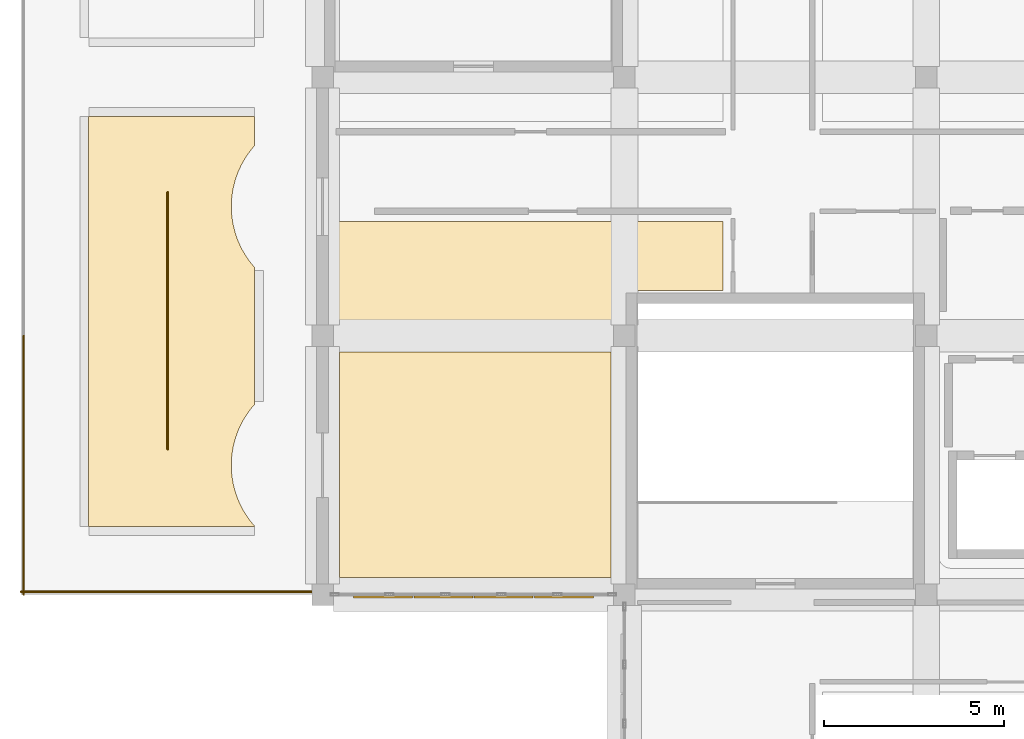
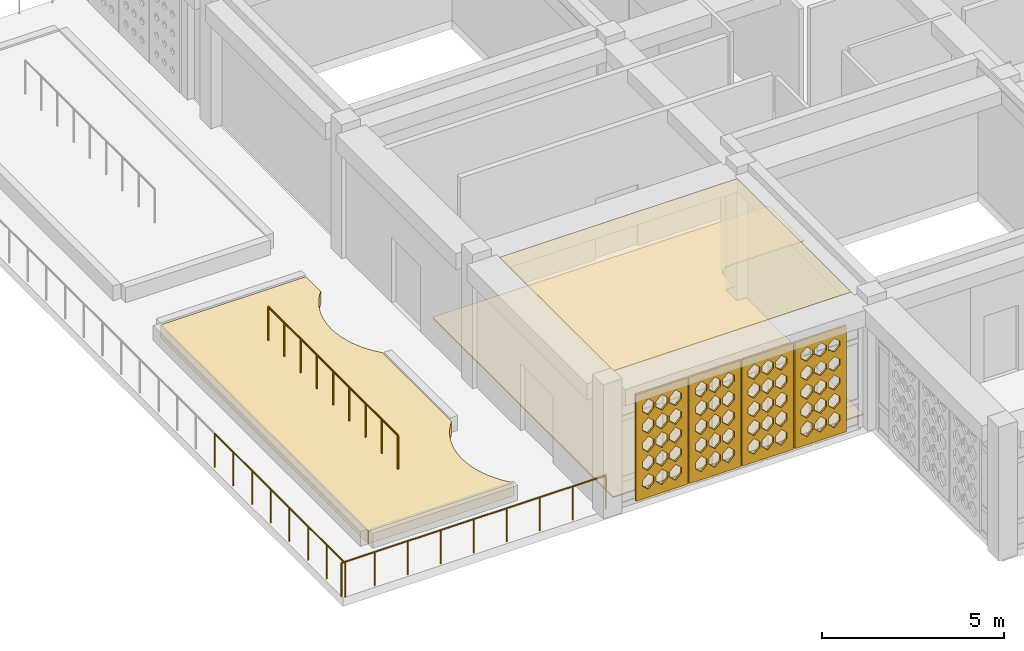
# One storey, part 17 of 28: 7 coverings, 3 railings.
"""IFC4 building model written with IfcOpenShell, lengths in metres."""

import ifcopenshell
import ifcopenshell.guid

model = None  # the IFC model being written
_history = None  # IfcOwnerHistory: only IFC2X3 demands one
_inside = {}  # id of a spatial element -> (the spatial element, [elements in it])
_under = {}  # id of a project, library or spatial element -> (it, [spatial elements below it])
_declared = {}  # id of a project -> (the project, [libraries it declares])
_typed = {}  # id of a type object -> (the type object, [elements of that type])
_made_of = {}  # id of a material, layer set ... -> (it, [elements and type objects made of it])


def new_model(schema):
    """Start an empty IFC model of exactly this schema.

    Asked for "IFC4X3", IfcOpenShell would pick the latest addendum, in which some entities
    have other attributes; the version numbers below select the first issue.
    IFC2X3 requires an IfcOwnerHistory on every rooted entity: one is made here for all.
    """
    global model, _history
    if schema == "IFC4X3":
        model = ifcopenshell.file(schema_version=(4, 3, 0, 0))
    else:
        model = ifcopenshell.file(schema=schema)
    _inside.clear()
    _under.clear()
    _declared.clear()
    _typed.clear()
    _made_of.clear()
    _history = None
    if model.schema == "IFC2X3":
        org = make("IfcOrganization", Name="unknown")
        user = make(
            "IfcPersonAndOrganization",
            ThePerson=make("IfcPerson", FamilyName="unknown"),
            TheOrganization=org,
        )
        app = make(
            "IfcApplication",
            ApplicationDeveloper=org,
            Version="unknown",
            ApplicationFullName="unknown",
            ApplicationIdentifier="unknown",
        )
        _history = make(
            "IfcOwnerHistory",
            OwningUser=user,
            OwningApplication=app,
            ChangeAction="ADDED",
            CreationDate=0,
        )
    return model


def make(cls, **values):
    """One entity of the class cls with the attributes given. An attribute that is None is left unset."""
    return model.create_entity(
        cls, **{name: value for name, value in values.items() if value is not None}
    )


def rooted(cls, **values):
    """An entity with a GlobalId (a new one), such as an element, a storey or a relation."""
    return make(cls, GlobalId=ifcopenshell.guid.new(), OwnerHistory=_history, **values)


def si_unit(unit_type, name, prefix=None):
    """IfcSIUnit, for example si_unit("LENGTHUNIT", "METRE", prefix="MILLI")."""
    return make("IfcSIUnit", UnitType=unit_type, Prefix=prefix, Name=name)


def derived_unit(unit_type, elements):
    """IfcDerivedUnit: a product of units, each with its exponent."""
    return make(
        "IfcDerivedUnit",
        Elements=[
            make("IfcDerivedUnitElement", Unit=unit, Exponent=power)
            for unit, power in elements
        ],
        UnitType=unit_type,
    )


def assignment(units):
    """IfcUnitAssignment: the units of a project."""
    return None if units is None else make("IfcUnitAssignment", Units=units)


def point(xyz):
    """IfcCartesianPoint."""
    return None if xyz is None else make("IfcCartesianPoint", Coordinates=xyz)


def direction(xyz):
    """IfcDirection."""
    return None if xyz is None else make("IfcDirection", DirectionRatios=xyz)


def frame(location, z_axis=None, x_axis=None):
    """IfcAxis2Placement3D, a coordinate frame: its origin and axes. An axis left out is left unset."""
    return make(
        "IfcAxis2Placement3D",
        Location=point(location),
        Axis=direction(z_axis),
        RefDirection=direction(x_axis),
    )


def frame_2d(location, x_axis=None):
    """IfcAxis2Placement2D, a coordinate frame in the plane: its origin and x axis."""
    return make(
        "IfcAxis2Placement2D", Location=point(location), RefDirection=direction(x_axis)
    )


def origin():
    """The frame at (0, 0, 0) with its axes left unset."""
    return frame((0.0, 0.0, 0.0))


def origin_2d():
    """The frame at (0, 0) in the plane with its x axis left unset."""
    return frame_2d((0.0, 0.0))


def place(relative_to, where):
    """IfcLocalPlacement: puts the frame where relative to a parent placement (None: the world)."""
    return make(
        "IfcLocalPlacement", PlacementRelTo=relative_to, RelativePlacement=where
    )


def context(
    kind, dimensions, precision=None, world=None, true_north=None, identifier=None
):
    """IfcGeometricRepresentationContext, for example the 3D "Model" context."""
    return make(
        "IfcGeometricRepresentationContext",
        ContextIdentifier=identifier,
        ContextType=kind,
        CoordinateSpaceDimension=dimensions,
        Precision=precision,
        WorldCoordinateSystem=world,
        TrueNorth=true_north,
    )


def subcontext(parent, identifier, kind, view, scale=None):
    """IfcGeometricRepresentationSubContext, for example "Body" below "Model"."""
    return make(
        "IfcGeometricRepresentationSubContext",
        ContextIdentifier=identifier,
        ContextType=kind,
        ParentContext=parent,
        TargetScale=scale,
        TargetView=view,
    )


def project(units=None, contexts=None):
    """IfcProject with its units and contexts."""
    return rooted(
        "IfcProject",
        Name="project",
        RepresentationContexts=contexts,
        UnitsInContext=assignment(units),
    )


def spatial(cls, under=None, at=None, **own):
    """A site, building, storey or space (cls), placed at a placement, below another one or the project."""
    s = rooted(cls, ObjectPlacement=at, **own)
    if under is not None:
        _under.setdefault(under.id(), (under, []))[1].append(s)
    return s


def polyline(points):
    """IfcPolyline through the points."""
    return make("IfcPolyline", Points=[point(p) for p in points])


def profile(cls, at=None, kind="AREA", **sizes):
    """A parametric profile (cls). Its sizes go by their IFC names, for example OverallWidth=200.0."""
    return make(cls, ProfileType=kind, Position=at, **sizes)


def circle(**sizes):
    """IfcCircleProfileDef."""
    return profile("IfcCircleProfileDef", **sizes)


def outline(outer, holes=None, kind="AREA"):
    """IfcArbitraryClosedProfileDef: a profile drawn as a closed curve; with holes, ...WithVoids."""
    if holes is None:
        return make("IfcArbitraryClosedProfileDef", ProfileType=kind, OuterCurve=outer)
    return make(
        "IfcArbitraryProfileDefWithVoids",
        ProfileType=kind,
        OuterCurve=outer,
        InnerCurves=holes,
    )


def extrude(swept, where, along, depth):
    """IfcExtrudedAreaSolid: the profile swept, set in the frame where, extruded along a direction by depth."""
    return make(
        "IfcExtrudedAreaSolid",
        SweptArea=swept,
        Position=where,
        ExtrudedDirection=direction(along),
        Depth=depth,
    )


def shape(context_of_items, identifier, shape_type, items):
    """IfcShapeRepresentation: the items that make up one representation, for example the "Body"."""
    return make(
        "IfcShapeRepresentation",
        ContextOfItems=context_of_items,
        RepresentationIdentifier=identifier,
        RepresentationType=shape_type,
        Items=items,
    )


def material(Name=None, Category=None):
    """IfcMaterial."""
    return make("IfcMaterial", Name=Name, Category=Category)


def layer(
    of_material, thickness, ventilated=None, Name=None, Category=None, Priority=None
):
    """IfcMaterialLayer: one layer of a wall or slab, of a material (None: an air gap)."""
    return make(
        "IfcMaterialLayer",
        Material=of_material,
        LayerThickness=thickness,
        IsVentilated=ventilated,
        Name=Name,
        Category=Category,
        Priority=Priority,
    )


def layer_set(layers, Name=None):
    """IfcMaterialLayerSet."""
    return make("IfcMaterialLayerSet", MaterialLayers=layers, LayerSetName=Name)


def made_of(thing, what):
    """Note that an element or type object is made of a material, layer set ...; save() writes the relation."""
    if what is not None:
        _made_of.setdefault(what.id(), (what, []))[1].append(thing)
    return thing


def type_object(cls, material=None, **own):
    """A type object (cls), such as IfcWallType, which elements share."""
    return made_of(rooted(cls, **own), material)


def element(
    cls,
    number,
    at=None,
    inside=None,
    cuts=None,
    type_object=None,
    material=None,
    context=None,
    identifier="Body",
    shape_type=None,
    held_by="IfcProductDefinitionShape",
    body=None,
    shapes=None,
    **own,
):
    """One element of the class cls, such as IfcWall. Its Tag is "e" and its number.

    at: its placement. inside: the storey or other place that contains it. cuts: it is an
    opening in that element (IfcRelVoidsElement). A single representation is given by context,
    identifier, shape_type and body (its items); several are given by shapes. held_by: the class
    of the entity that holds the representations. save() writes the other relations.
    """
    e = rooted(cls, Tag="e%d" % number, ObjectPlacement=at, **own)
    if body is not None:
        shapes = [shape(context, identifier, shape_type, body)]
    if shapes is not None:
        e.Representation = make(held_by, Representations=shapes)
    if inside is not None:
        _inside.setdefault(inside.id(), (inside, []))[1].append(e)
    if cuts is not None:
        rooted(
            "IfcRelVoidsElement", RelatingBuildingElement=cuts, RelatedOpeningElement=e
        )
    if type_object is not None:
        _typed.setdefault(type_object.id(), (type_object, []))[1].append(e)
    return made_of(e, material)


def aggregate(whole, parts):
    """IfcRelAggregates: a whole, such as a stair, and the parts it consists of."""
    return rooted("IfcRelAggregates", RelatingObject=whole, RelatedObjects=parts)


def save(model, path):
    """Write the relations noted so far, then the file.

    IfcRelAggregates (storeys below a building ...), IfcRelContainedInSpatialStructure (elements
    in a storey), IfcRelDefinesByType, IfcRelAssociatesMaterial and IfcRelDeclares: one each for
    every whole, place, type object, material and project.
    """
    for whole, parts in _under.values():
        aggregate(whole, parts)
    for where, things in _inside.values():
        rooted(
            "IfcRelContainedInSpatialStructure",
            RelatedElements=things,
            RelatingStructure=where,
        )
    for kind, things in _typed.values():
        rooted("IfcRelDefinesByType", RelatedObjects=things, RelatingType=kind)
    for what, things in _made_of.values():
        rooted("IfcRelAssociatesMaterial", RelatedObjects=things, RelatingMaterial=what)
    for by, libraries in _declared.values():
        rooted("IfcRelDeclares", RelatingContext=by, RelatedDefinitions=libraries)
    model.write(path)


model = new_model("IFC4")

# Units and contexts
model_context = context("Model", 3, precision=1e-05, world=origin(), true_north=direction((0.0, 1.0)))
body_context = subcontext(model_context, "Body", "Model", "MODEL_VIEW")
ifc_project = project(units=[si_unit("LENGTHUNIT", "METRE"), si_unit("AREAUNIT", "SQUARE_METRE"), si_unit("VOLUMEUNIT", "CUBIC_METRE"), si_unit("PLANEANGLEUNIT", "RADIAN"), si_unit("MASSUNIT", "GRAM", prefix="KILO"), derived_unit("THERMALTRANSMITTANCEUNIT", [(si_unit("POWERUNIT", "WATT"), 1), (si_unit("LENGTHUNIT", "METRE"), -2), (si_unit("THERMODYNAMICTEMPERATUREUNIT", "KELVIN"), -1)])], contexts=[model_context])

# Site, building, storey
site_placement = place(None, origin())
site = spatial("IfcSite", under=ifc_project, at=site_placement, CompositionType="ELEMENT")
building_placement = place(site_placement, origin())
building = spatial("IfcBuilding", under=site, at=building_placement, Name="Veybourne Emporium", CompositionType="ELEMENT")
storey_placement = place(building_placement, frame((0.0, 0.0, 32.10009765625)))
storey = spatial("IfcBuildingStorey", under=building, at=storey_placement, Name="L07", CompositionType="ELEMENT", Elevation=32.10009765625)

# Coverings
ifc_material_1 = material(Name="Mineral Acoustic Ceiling", Category="gypsum")
ifc_layer_1 = layer(ifc_material_1, 0.02490234375)
ifc_layer_set_1 = layer_set([ifc_layer_1], Name="Mineral Acoustic Ceiling")
covering_type_1 = type_object("IfcCoveringType", Name="Ceiling_CLG-01", PredefinedType="CEILING", material=ifc_layer_set_1)
covering_1_placement = place(storey_placement, frame((0.0, 0.0, 4.21484375)))
element("IfcCovering", 1, at=covering_1_placement, inside=storey, type_object=covering_type_1, Name="L07 coffered acoustic ceiling 02", PredefinedType="CEILING", context=body_context, shape_type="SweptSolid", body=[
    extrude(outline(polyline([(8.873046875, 21.152099609375), (16.427001953125, 21.152099609375), (16.427001953125, 14.873046875), (8.873046875, 14.873046875), (8.873046875, 21.152099609375)])), origin(), (0.0, 0.0, 1.0), 0.025146484375),
])
ifc_material_2 = material(Name="European Oak Parquet", Category="wood")
ifc_layer_2 = layer(ifc_material_2, 0.034912109375)
ifc_layer_set_2 = layer_set([ifc_layer_2], Name="European Oak Parquet")
covering_type_2 = type_object("IfcCoveringType", Name="Flooring_FLR-02", PredefinedType="FLOORING", material=ifc_layer_set_2)
covering_2_placement = place(storey_placement, origin())
element("IfcCovering", 2, at=covering_2_placement, inside=storey, type_object=covering_type_2, Name="L07 floor finish 02", PredefinedType="FLOORING", context=body_context, shape_type="SweptSolid", body=[
    extrude(outline(polyline([(8.840087890625, 14.840087890625), (8.840087890625, 24.7900390625), (19.5400390625, 24.7900390625), (19.5400390625, 22.860107421875), (17.14990234375, 22.860107421875), (17.14013671875, 22.85986328125), (17.12451171875, 22.85888671875), (17.10498046875, 22.857177734375), (17.089599609375, 22.854736328125), (17.070068359375, 22.850830078125), (17.054931640625, 22.84716796875), (17.0361328125, 22.84130859375), (17.021484375, 22.836181640625), (17.003173828125, 22.82861328125), (16.989013671875, 22.822021484375), (16.9716796875, 22.812744140625), (16.958251953125, 22.8046875), (16.94189453125, 22.793701171875), (16.92919921875, 22.7841796875), (16.914306640625, 22.77197265625), (16.902587890625, 22.761474609375), (16.888671875, 22.747314453125), (16.878173828125, 22.73583984375), (16.86572265625, 22.720703125), (16.8564453125, 22.7080078125), (16.845458984375, 22.691650390625), (16.83740234375, 22.67822265625), (16.828125, 22.660888671875), (16.8212890625, 22.646728515625), (16.81396484375, 22.628662109375), (16.80859375, 22.61376953125), (16.802978515625, 22.594970703125), (16.799072265625, 22.579833984375), (16.795166015625, 22.560546875), (16.79296875, 22.544921875), (16.791015625, 22.525390625), (16.790283203125, 22.509765625), (16.7900390625, 22.5), (16.7900390625, 21.905029296875), (16.4951171875, 21.905029296875), (16.4951171875, 21.294921875), (16.7900390625, 21.294921875), (16.7900390625, 14.85009765625), (16.790283203125, 14.840087890625), (16.790283203125, 14.840087890625), (8.840087890625, 14.840087890625)])), origin(), (0.0, 0.0, 1.0), 0.034912109375),
])

# Railings
ifc_material_3 = material(Name="Patinated Architectural Bronze", Category="bronze")
railing_type = type_object("IfcRailingType", Name="Guard_GR-02", PredefinedType="GUARDRAIL", material=ifc_material_3)
railing_1_placement = place(storey_placement, frame((8.39990234375, 14.47998046875, 0.0)))
element("IfcRailing", 3, at=railing_1_placement, inside=storey, type_object=railing_type, Name="L07 terrace perimeter guardrail 001", PredefinedType="GUARDRAIL", context=body_context, shape_type="SweptSolid", body=[
    extrude(circle(Radius=0.02392578125, at=origin_2d()), frame((0.0, 0.0, 1.1259765625), z_axis=(-1.0, 0.0, 0.0), x_axis=(0.0, -1.0, 0.0)), (0.0, 0.0, 1.0), 8.39990234375),
    extrude(circle(Radius=0.02099609375, at=origin_2d()), origin(), (0.0, 0.0, 1.0), 1.101806640625),
    extrude(circle(Radius=0.02099609375, at=origin_2d()), frame((-1.050048828125, 0.0, 0.0)), (0.0, 0.0, 1.0), 1.101806640625),
    extrude(circle(Radius=0.02099609375, at=origin_2d()), frame((-2.10009765625, 0.0, 0.0)), (0.0, 0.0, 1.0), 1.101806640625),
    extrude(circle(Radius=0.02099609375, at=origin_2d()), frame((-3.14990234375, 0.0, 0.0)), (0.0, 0.0, 1.0), 1.101806640625),
    extrude(circle(Radius=0.02099609375, at=origin_2d()), frame((-4.199951171875, 0.0, 0.0)), (0.0, 0.0, 1.0), 1.101806640625),
    extrude(circle(Radius=0.02099609375, at=origin_2d()), frame((-5.25, 0.0, 0.0)), (0.0, 0.0, 1.0), 1.101806640625),
    extrude(circle(Radius=0.02099609375, at=origin_2d()), frame((-6.2998046875, 0.0, 0.0)), (0.0, 0.0, 1.0), 1.101806640625),
    extrude(circle(Radius=0.02099609375, at=origin_2d()), frame((-7.349853515625, 0.0, 0.0)), (0.0, 0.0, 1.0), 1.101806640625),
    extrude(circle(Radius=0.02099609375, at=origin_2d()), frame((-8.39990234375, 0.0, 0.0)), (0.0, 0.0, 1.0), 1.101806640625),
])
railing_2_placement = place(storey_placement, frame((0.080078125, 14.39990234375, 0.0)))
element("IfcRailing", 4, at=railing_2_placement, inside=storey, type_object=railing_type, Name="L07 terrace perimeter guardrail 002", PredefinedType="GUARDRAIL", context=body_context, shape_type="SweptSolid", body=[
    extrude(circle(Radius=0.02392578125, at=origin_2d()), frame((0.0, 0.0, 1.1259765625), z_axis=(0.0, 1.0, 0.0), x_axis=(-1.0, 0.0, 0.0)), (0.0, 0.0, 1.0), 7.2001953125),
    extrude(circle(Radius=0.02099609375, at=origin_2d()), origin(), (0.0, 0.0, 1.0), 1.101806640625),
    extrude(circle(Radius=0.02099609375, at=origin_2d()), frame((0.0, 1.028564453125, 0.0)), (0.0, 0.0, 1.0), 1.101806640625),
    extrude(circle(Radius=0.02099609375, at=origin_2d()), frame((0.0, 2.05712890625, 0.0)), (0.0, 0.0, 1.0), 1.101806640625),
    extrude(circle(Radius=0.02099609375, at=origin_2d()), frame((0.0, 3.085693359375, 0.0)), (0.0, 0.0, 1.0), 1.101806640625),
    extrude(circle(Radius=0.02099609375, at=origin_2d()), frame((0.0, 4.114501953125, 0.0)), (0.0, 0.0, 1.0), 1.101806640625),
    extrude(circle(Radius=0.02099609375, at=origin_2d()), frame((0.0, 5.14306640625, 0.0)), (0.0, 0.0, 1.0), 1.101806640625),
    extrude(circle(Radius=0.02099609375, at=origin_2d()), frame((0.0, 6.171630859375, 0.0)), (0.0, 0.0, 1.0), 1.101806640625),
    extrude(circle(Radius=0.02099609375, at=origin_2d()), frame((0.0, 7.2001953125, 0.0)), (0.0, 0.0, 1.0), 1.101806640625),
])
railing_3_placement = place(storey_placement, frame((4.0869140625, 18.44970703125, 0.43994140625)))
element("IfcRailing", 5, at=railing_3_placement, inside=storey, type_object=railing_type, Name="L07 bronze roof-garden trellis balustrade 1.2", PredefinedType="GUARDRAIL", context=body_context, shape_type="SweptSolid", body=[
    extrude(circle(Radius=0.02392578125, at=origin_2d()), frame((0.0, 0.0, 1.1259765625), z_axis=(0.0, 1.0, 0.0), x_axis=(-1.0, 0.0, 0.0)), (0.0, 0.0, 1.0), 7.14013671875),
    extrude(circle(Radius=0.02099609375, at=origin_2d()), origin(), (0.0, 0.0, 1.0), 1.101806640625),
    extrude(circle(Radius=0.02099609375, at=origin_2d()), frame((0.0, 0.892578125, 0.0)), (0.0, 0.0, 1.0), 1.101806640625),
    extrude(circle(Radius=0.02099609375, at=origin_2d()), frame((0.0, 1.78515625, 0.0)), (0.0, 0.0, 1.0), 1.101806640625),
    extrude(circle(Radius=0.02099609375, at=origin_2d()), frame((0.0, 2.677490234375, 0.0)), (0.0, 0.0, 1.0), 1.101806640625),
    extrude(circle(Radius=0.02099609375, at=origin_2d()), frame((0.0, 3.570068359375, 0.0)), (0.0, 0.0, 1.0), 1.101806640625),
    extrude(circle(Radius=0.02099609375, at=origin_2d()), frame((0.0, 4.462646484375, 0.0)), (0.0, 0.0, 1.0), 1.101806640625),
    extrude(circle(Radius=0.02099609375, at=origin_2d()), frame((0.0, 5.35498046875, 0.0)), (0.0, 0.0, 1.0), 1.101806640625),
    extrude(circle(Radius=0.02099609375, at=origin_2d()), frame((0.0, 6.24755859375, 0.0)), (0.0, 0.0, 1.0), 1.101806640625),
    extrude(circle(Radius=0.02099609375, at=origin_2d()), frame((0.0, 7.14013671875, 0.0)), (0.0, 0.0, 1.0), 1.101806640625),
])

# Coverings
ifc_material_4 = material(Name="Intensive Green Roof Build-up", Category="membrane")
ifc_layer_3 = layer(ifc_material_4, 0.43994140625)
ifc_layer_set_3 = layer_set([ifc_layer_3], Name="Intensive Green Roof Build-up")
covering_type_3 = type_object("IfcCoveringType", Name="Roofing_RFG-02", PredefinedType="ROOFING", material=ifc_layer_set_3)
covering_3_placement = place(storey_placement, origin())
element("IfcCovering", 6, at=covering_3_placement, inside=storey, type_object=covering_type_3, Name="L07 intensive planted garden bed 1.2", PredefinedType="ROOFING", context=body_context, shape_type="SweptSolid", body=[
    extrude(outline(polyline([(6.510009765625, 16.3056640625), (6.510009765625, 16.2900390625), (1.889892578125, 16.2900390625), (1.889892578125, 27.7099609375), (6.510009765625, 27.7099609375), (6.510009765625, 26.894287109375), (6.467529296875, 26.847412109375), (6.4072265625, 26.77392578125), (6.3154296875, 26.650146484375), (6.262451171875, 26.571044921875), (6.183349609375, 26.438720703125), (6.138427734375, 26.35498046875), (6.072509765625, 26.215576171875), (6.0361328125, 26.127685546875), (5.984130859375, 25.982666015625), (5.95654296875, 25.8916015625), (5.919189453125, 25.741943359375), (5.900634765625, 25.648681640625), (5.8779296875, 25.496337890625), (5.86865234375, 25.401611328125), (5.861083984375, 25.24755859375), (5.861083984375, 25.15234375), (5.86865234375, 24.99853515625), (5.8779296875, 24.90380859375), (5.900634765625, 24.75146484375), (5.919189453125, 24.657958984375), (5.95654296875, 24.508544921875), (5.984130859375, 24.41748046875), (6.0361328125, 24.2724609375), (6.072509765625, 24.184326171875), (6.138427734375, 24.045166015625), (6.183349609375, 23.961181640625), (6.262451171875, 23.8291015625), (6.3154296875, 23.749755859375), (6.4072265625, 23.6259765625), (6.467529296875, 23.552490234375), (6.510009765625, 23.505615234375), (6.510009765625, 19.6943359375), (6.467529296875, 19.6474609375), (6.4072265625, 19.573974609375), (6.3154296875, 19.4501953125), (6.262451171875, 19.37109375), (6.183349609375, 19.23876953125), (6.138427734375, 19.15478515625), (6.072509765625, 19.015625), (6.0361328125, 18.927734375), (5.984130859375, 18.782470703125), (5.95654296875, 18.69140625), (5.919189453125, 18.5419921875), (5.900634765625, 18.44873046875), (5.8779296875, 18.296142578125), (5.86865234375, 18.201416015625), (5.861083984375, 18.047607421875), (5.861083984375, 17.952392578125), (5.86865234375, 17.798583984375), (5.8779296875, 17.703857421875), (5.900634765625, 17.55126953125), (5.919189453125, 17.4580078125), (5.95654296875, 17.30859375), (5.984130859375, 17.217529296875), (6.0361328125, 17.072265625), (6.072509765625, 16.984375), (6.138427734375, 16.84521484375), (6.183349609375, 16.76123046875), (6.262451171875, 16.62890625), (6.3154296875, 16.5498046875), (6.4072265625, 16.426025390625), (6.467529296875, 16.3525390625), (6.510009765625, 16.3056640625)])), origin(), (0.0, 0.0, 1.0), 0.43994140625),
])
ifc_material_5 = material(Name="Warm-White Perforated Aluminium Screen Alloy", Category="aluminium")
ifc_layer_4 = layer(ifc_material_5, 0.06005859375)
ifc_layer_set_4 = layer_set([ifc_layer_4], Name="Warm-White Perforated Aluminium Screen Alloy")
covering_type_4 = type_object("IfcCoveringType", Name="WaveScreen_SCR-01", PredefinedType="CLADDING", material=ifc_layer_set_4)
covering_4_placement = place(storey_placement, frame((10.080078125, 14.304443359375, 1.844970703125), z_axis=(0.0, 1.0, 0.0), x_axis=(-1.0, 0.0, 0.0)))
element("IfcCovering", 7, at=covering_4_placement, inside=storey, type_object=covering_type_4, Name="L07 wave-perforated aluminium screen SCR-01 (1C.4)", PredefinedType="CLADDING", context=body_context, shape_type="SweptSolid", body=[
    extrude(outline(polyline([(-0.81982421875, -1.78515625), (0.81982421875, -1.78515625), (0.81982421875, 1.78515625), (-0.81982421875, 1.78515625), (-0.81982421875, -1.78515625)]), holes=[polyline([(-0.433349609375, -0.987548828125), (-0.2470703125, -1.15673828125), (-0.2470703125, -1.34716796875), (-0.433349609375, -1.5166015625), (-0.61962890625, -1.34716796875), (-0.61962890625, -1.15673828125), (-0.433349609375, -0.987548828125)]), polyline([(-0.433349609375, -0.356689453125), (-0.2470703125, -0.529052734375), (-0.2470703125, -0.722900390625), (-0.433349609375, -0.895263671875), (-0.61962890625, -0.722900390625), (-0.61962890625, -0.529052734375), (-0.433349609375, -0.356689453125)]), polyline([(-0.433349609375, 0.269287109375), (-0.2470703125, 0.096923828125), (-0.2470703125, -0.096923828125), (-0.433349609375, -0.269287109375), (-0.61962890625, -0.096923828125), (-0.61962890625, 0.096923828125), (-0.433349609375, 0.269287109375)]), polyline([(-0.433349609375, 0.895263671875), (-0.2470703125, 0.722900390625), (-0.2470703125, 0.529052734375), (-0.433349609375, 0.356689453125), (-0.61962890625, 0.529052734375), (-0.61962890625, 0.722900390625), (-0.433349609375, 0.895263671875)]), polyline([(-0.433349609375, 1.521240234375), (-0.2470703125, 1.348876953125), (-0.2470703125, 1.155029296875), (-0.433349609375, 0.98291015625), (-0.61962890625, 1.155029296875), (-0.61962890625, 1.348876953125), (-0.433349609375, 1.521240234375)]), polyline([(0.0, -0.990966796875), (0.186279296875, -1.157958984375), (0.186279296875, -1.345947265625), (0.0, -1.51318359375), (-0.186279296875, -1.345947265625), (-0.186279296875, -1.157958984375), (0.0, -0.990966796875)]), polyline([(0.0, -0.35791015625), (0.186279296875, -0.529541015625), (0.186279296875, -0.722412109375), (0.0, -0.89404296875), (-0.186279296875, -0.722412109375), (-0.186279296875, -0.529541015625), (0.0, -0.35791015625)]), polyline([(0.0, 0.269287109375), (0.186279296875, 0.096923828125), (0.186279296875, -0.096923828125), (0.0, -0.269287109375), (-0.186279296875, -0.096923828125), (-0.186279296875, 0.096923828125), (0.0, 0.269287109375)]), polyline([(0.0, 0.895263671875), (0.186279296875, 0.722900390625), (0.186279296875, 0.529052734375), (0.0, 0.356689453125), (-0.186279296875, 0.529052734375), (-0.186279296875, 0.722900390625), (0.0, 0.895263671875)]), polyline([(0.0, 1.521240234375), (0.186279296875, 1.348876953125), (0.186279296875, 1.155029296875), (0.0, 0.98291015625), (-0.186279296875, 1.155029296875), (-0.186279296875, 1.348876953125), (0.0, 1.521240234375)]), polyline([(0.433349609375, -0.99462890625), (0.61962890625, -1.159423828125), (0.61962890625, -1.344482421875), (0.433349609375, -1.50927734375), (0.2470703125, -1.344482421875), (0.2470703125, -1.159423828125), (0.433349609375, -0.99462890625)]), polyline([(0.433349609375, -0.36083984375), (0.61962890625, -0.530517578125), (0.61962890625, -0.721435546875), (0.433349609375, -0.89111328125), (0.2470703125, -0.721435546875), (0.2470703125, -0.530517578125), (0.433349609375, -0.36083984375)]), polyline([(0.433349609375, 0.269287109375), (0.61962890625, 0.096923828125), (0.61962890625, -0.096923828125), (0.433349609375, -0.269287109375), (0.2470703125, -0.096923828125), (0.2470703125, 0.096923828125), (0.433349609375, 0.269287109375)]), polyline([(0.433349609375, 0.895263671875), (0.61962890625, 0.722900390625), (0.61962890625, 0.529052734375), (0.433349609375, 0.356689453125), (0.2470703125, 0.529052734375), (0.2470703125, 0.722900390625), (0.433349609375, 0.895263671875)]), polyline([(0.433349609375, 1.521240234375), (0.61962890625, 1.348876953125), (0.61962890625, 1.155029296875), (0.433349609375, 0.98291015625), (0.2470703125, 1.155029296875), (0.2470703125, 1.348876953125), (0.433349609375, 1.521240234375)])]), origin(), (0.0, 0.0, 1.0), 0.06005859375),
])
ifc_layer_5 = layer(ifc_material_5, 0.06005859375)
ifc_layer_set_5 = layer_set([ifc_layer_5], Name="Warm-White Perforated Aluminium Screen Alloy")
covering_type_5 = type_object("IfcCoveringType", Name="WaveScreen_SCR-02", PredefinedType="CLADDING", material=ifc_layer_set_5)
covering_5_placement = place(storey_placement, frame((15.1201171875, 14.304443359375, 1.844970703125), z_axis=(0.0, 1.0, 0.0), x_axis=(-1.0, 0.0, 0.0)))
element("IfcCovering", 8, at=covering_5_placement, inside=storey, type_object=covering_type_5, Name="L07 wave-perforated aluminium screen SCR-02 (1C.1)", PredefinedType="CLADDING", context=body_context, shape_type="SweptSolid", body=[
    extrude(outline(polyline([(-0.81982421875, -1.78515625), (0.81982421875, -1.78515625), (0.81982421875, 1.78515625), (-0.81982421875, 1.78515625), (-0.81982421875, -1.78515625)]), holes=[polyline([(-0.433349609375, -0.9833984375), (-0.2470703125, -1.1552734375), (-0.2470703125, -1.3486328125), (-0.433349609375, -1.5205078125), (-0.61962890625, -1.3486328125), (-0.61962890625, -1.1552734375), (-0.433349609375, -0.9833984375)]), polyline([(-0.433349609375, -0.364013671875), (-0.2470703125, -0.53173828125), (-0.2470703125, -0.72021484375), (-0.433349609375, -0.887939453125), (-0.61962890625, -0.72021484375), (-0.61962890625, -0.53173828125), (-0.433349609375, -0.364013671875)]), polyline([(-0.433349609375, 0.2529296875), (-0.2470703125, 0.091064453125), (-0.2470703125, -0.091064453125), (-0.433349609375, -0.2529296875), (-0.61962890625, -0.091064453125), (-0.61962890625, 0.091064453125), (-0.433349609375, 0.2529296875)]), polyline([(-0.433349609375, 0.868408203125), (-0.2470703125, 0.713134765625), (-0.2470703125, 0.538818359375), (-0.433349609375, 0.3837890625), (-0.61962890625, 0.538818359375), (-0.61962890625, 0.713134765625), (-0.433349609375, 0.868408203125)]), polyline([(-0.433349609375, 1.482177734375), (-0.2470703125, 1.334716796875), (-0.2470703125, 1.169189453125), (-0.433349609375, 1.02197265625), (-0.61962890625, 1.169189453125), (-0.61962890625, 1.334716796875), (-0.433349609375, 1.482177734375)]), polyline([(0.0, -0.98291015625), (0.186279296875, -1.155029296875), (0.186279296875, -1.348876953125), (0.0, -1.521240234375), (-0.186279296875, -1.348876953125), (-0.186279296875, -1.155029296875), (0.0, -0.98291015625)]), polyline([(0.0, -0.36083984375), (0.186279296875, -0.530517578125), (0.186279296875, -0.721435546875), (0.0, -0.89111328125), (-0.186279296875, -0.721435546875), (-0.186279296875, -0.530517578125), (0.0, -0.36083984375)]), polyline([(0.0, 0.257080078125), (0.186279296875, 0.092529296875), (0.186279296875, -0.092529296875), (0.0, -0.257080078125), (-0.186279296875, -0.092529296875), (-0.186279296875, 0.092529296875), (0.0, 0.257080078125)]), polyline([(0.0, 0.873291015625), (0.186279296875, 0.715087890625), (0.186279296875, 0.537109375), (0.0, 0.378662109375), (-0.186279296875, 0.537109375), (-0.186279296875, 0.715087890625), (0.0, 0.873291015625)]), polyline([(0.0, 1.48779296875), (0.186279296875, 1.3369140625), (0.186279296875, 1.167236328125), (0.0, 1.016357421875), (-0.186279296875, 1.167236328125), (-0.186279296875, 1.3369140625), (0.0, 1.48779296875)]), polyline([(0.433349609375, -0.98291015625), (0.61962890625, -1.155029296875), (0.61962890625, -1.348876953125), (0.433349609375, -1.521240234375), (0.2470703125, -1.348876953125), (0.2470703125, -1.155029296875), (0.433349609375, -0.98291015625)]), polyline([(0.433349609375, -0.35791015625), (0.61962890625, -0.529541015625), (0.61962890625, -0.722412109375), (0.433349609375, -0.89404296875), (0.2470703125, -0.722412109375), (0.2470703125, -0.529541015625), (0.433349609375, -0.35791015625)]), polyline([(0.433349609375, 0.260986328125), (0.61962890625, 0.093994140625), (0.61962890625, -0.093994140625), (0.433349609375, -0.260986328125), (0.2470703125, -0.093994140625), (0.2470703125, 0.093994140625), (0.433349609375, 0.260986328125)]), polyline([(0.433349609375, 0.8779296875), (0.61962890625, 0.716796875), (0.61962890625, 0.535400390625), (0.433349609375, 0.3740234375), (0.2470703125, 0.535400390625), (0.2470703125, 0.716796875), (0.433349609375, 0.8779296875)]), polyline([(0.433349609375, 1.492919921875), (0.61962890625, 1.3388671875), (0.61962890625, 1.165283203125), (0.433349609375, 1.010986328125), (0.2470703125, 1.165283203125), (0.2470703125, 1.3388671875), (0.433349609375, 1.492919921875)])]), origin(), (0.0, 0.0, 1.0), 0.06005859375),
])
ifc_layer_6 = layer(ifc_material_5, 0.06005859375)
ifc_layer_set_6 = layer_set([ifc_layer_6], Name="Warm-White Perforated Aluminium Screen Alloy")
covering_type_6 = type_object("IfcCoveringType", Name="WaveScreen_SCR-03", PredefinedType="CLADDING", material=ifc_layer_set_6)
covering_6_placement = place(storey_placement, frame((13.43994140625, 14.304443359375, 1.844970703125), z_axis=(0.0, 1.0, 0.0), x_axis=(-1.0, 0.0, 0.0)))
element("IfcCovering", 9, at=covering_6_placement, inside=storey, type_object=covering_type_6, Name="L07 wave-perforated aluminium screen SCR-03 (1C.2)", PredefinedType="CLADDING", context=body_context, shape_type="SweptSolid", body=[
    extrude(outline(polyline([(-0.81982421875, -1.78515625), (0.81982421875, -1.78515625), (0.81982421875, 1.78515625), (-0.81982421875, 1.78515625), (-0.81982421875, -1.78515625)]), holes=[polyline([(-0.433349609375, -0.98291015625), (-0.2470703125, -1.155029296875), (-0.2470703125, -1.348876953125), (-0.433349609375, -1.521240234375), (-0.61962890625, -1.348876953125), (-0.61962890625, -1.155029296875), (-0.433349609375, -0.98291015625)]), polyline([(-0.433349609375, -0.356689453125), (-0.2470703125, -0.529052734375), (-0.2470703125, -0.722900390625), (-0.433349609375, -0.895263671875), (-0.61962890625, -0.722900390625), (-0.61962890625, -0.529052734375), (-0.433349609375, -0.356689453125)]), polyline([(-0.433349609375, 0.26708984375), (-0.2470703125, 0.09619140625), (-0.2470703125, -0.09619140625), (-0.433349609375, -0.26708984375), (-0.61962890625, -0.09619140625), (-0.61962890625, 0.09619140625), (-0.433349609375, 0.26708984375)]), polyline([(-0.433349609375, 0.885498046875), (-0.2470703125, 0.719482421875), (-0.2470703125, 0.532470703125), (-0.433349609375, 0.366455078125), (-0.61962890625, 0.532470703125), (-0.61962890625, 0.719482421875), (-0.433349609375, 0.885498046875)]), polyline([(-0.433349609375, 1.502197265625), (-0.2470703125, 1.342041015625), (-0.2470703125, 1.161865234375), (-0.433349609375, 1.001708984375), (-0.61962890625, 1.161865234375), (-0.61962890625, 1.342041015625), (-0.433349609375, 1.502197265625)]), polyline([(0.0, -0.98291015625), (0.186279296875, -1.155029296875), (0.186279296875, -1.348876953125), (0.0, -1.521240234375), (-0.186279296875, -1.348876953125), (-0.186279296875, -1.155029296875), (0.0, -0.98291015625)]), polyline([(0.0, -0.356689453125), (0.186279296875, -0.529052734375), (0.186279296875, -0.722900390625), (0.0, -0.895263671875), (-0.186279296875, -0.722900390625), (-0.186279296875, -0.529052734375), (0.0, -0.356689453125)]), polyline([(0.0, 0.269287109375), (0.186279296875, 0.096923828125), (0.186279296875, -0.096923828125), (0.0, -0.269287109375), (-0.186279296875, -0.096923828125), (-0.186279296875, 0.096923828125), (0.0, 0.269287109375)]), polyline([(0.0, 0.88916015625), (0.186279296875, 0.720703125), (0.186279296875, 0.53125), (0.0, 0.36279296875), (-0.186279296875, 0.53125), (-0.186279296875, 0.720703125), (0.0, 0.88916015625)]), polyline([(0.0, 1.506591796875), (0.186279296875, 1.34375), (0.186279296875, 1.160400390625), (0.0, 0.997314453125), (-0.186279296875, 1.160400390625), (-0.186279296875, 1.34375), (0.0, 1.506591796875)]), polyline([(0.433349609375, -0.98291015625), (0.61962890625, -1.155029296875), (0.61962890625, -1.348876953125), (0.433349609375, -1.521240234375), (0.2470703125, -1.348876953125), (0.2470703125, -1.155029296875), (0.433349609375, -0.98291015625)]), polyline([(0.433349609375, -0.356689453125), (0.61962890625, -0.529052734375), (0.61962890625, -0.722900390625), (0.433349609375, -0.895263671875), (0.2470703125, -0.722900390625), (0.2470703125, -0.529052734375), (0.433349609375, -0.356689453125)]), polyline([(0.433349609375, 0.269287109375), (0.61962890625, 0.096923828125), (0.61962890625, -0.096923828125), (0.433349609375, -0.269287109375), (0.2470703125, -0.096923828125), (0.2470703125, 0.096923828125), (0.433349609375, 0.269287109375)]), polyline([(0.433349609375, 0.892333984375), (0.61962890625, 0.721923828125), (0.61962890625, 0.530029296875), (0.433349609375, 0.359619140625), (0.2470703125, 0.530029296875), (0.2470703125, 0.721923828125), (0.433349609375, 0.892333984375)]), polyline([(0.433349609375, 1.5107421875), (0.61962890625, 1.34521484375), (0.61962890625, 1.158935546875), (0.433349609375, 0.993408203125), (0.2470703125, 1.158935546875), (0.2470703125, 1.34521484375), (0.433349609375, 1.5107421875)])]), origin(), (0.0, 0.0, 1.0), 0.06005859375),
])
ifc_layer_7 = layer(ifc_material_5, 0.06005859375)
ifc_layer_set_7 = layer_set([ifc_layer_7], Name="Warm-White Perforated Aluminium Screen Alloy")
covering_type_7 = type_object("IfcCoveringType", Name="WaveScreen_SCR-04", PredefinedType="CLADDING", material=ifc_layer_set_7)
covering_7_placement = place(storey_placement, frame((11.760009765625, 14.304443359375, 1.844970703125), z_axis=(0.0, 1.0, 0.0), x_axis=(-1.0, 0.0, 0.0)))
element("IfcCovering", 10, at=covering_7_placement, inside=storey, type_object=covering_type_7, Name="L07 wave-perforated aluminium screen SCR-04 (1C.3)", PredefinedType="CLADDING", context=body_context, shape_type="SweptSolid", body=[
    extrude(outline(polyline([(-0.81982421875, -1.78515625), (0.81982421875, -1.78515625), (0.81982421875, 1.78515625), (-0.81982421875, 1.78515625), (-0.81982421875, -1.78515625)]), holes=[polyline([(-0.433349609375, -0.98291015625), (-0.2470703125, -1.155029296875), (-0.2470703125, -1.348876953125), (-0.433349609375, -1.521240234375), (-0.61962890625, -1.348876953125), (-0.61962890625, -1.155029296875), (-0.433349609375, -0.98291015625)]), polyline([(-0.433349609375, -0.356689453125), (-0.2470703125, -0.529052734375), (-0.2470703125, -0.722900390625), (-0.433349609375, -0.895263671875), (-0.61962890625, -0.722900390625), (-0.61962890625, -0.529052734375), (-0.433349609375, -0.356689453125)]), polyline([(-0.433349609375, 0.269287109375), (-0.2470703125, 0.096923828125), (-0.2470703125, -0.096923828125), (-0.433349609375, -0.269287109375), (-0.61962890625, -0.096923828125), (-0.61962890625, 0.096923828125), (-0.433349609375, 0.269287109375)]), polyline([(-0.433349609375, 0.895263671875), (-0.2470703125, 0.722900390625), (-0.2470703125, 0.529052734375), (-0.433349609375, 0.356689453125), (-0.61962890625, 0.529052734375), (-0.61962890625, 0.722900390625), (-0.433349609375, 0.895263671875)]), polyline([(-0.433349609375, 1.51708984375), (-0.2470703125, 1.347412109375), (-0.2470703125, 1.156494140625), (-0.433349609375, 0.98681640625), (-0.61962890625, 1.156494140625), (-0.61962890625, 1.347412109375), (-0.433349609375, 1.51708984375)]), polyline([(0.0, -0.98291015625), (0.186279296875, -1.155029296875), (0.186279296875, -1.348876953125), (0.0, -1.521240234375), (-0.186279296875, -1.348876953125), (-0.186279296875, -1.155029296875), (0.0, -0.98291015625)]), polyline([(0.0, -0.356689453125), (0.186279296875, -0.529052734375), (0.186279296875, -0.722900390625), (0.0, -0.895263671875), (-0.186279296875, -0.722900390625), (-0.186279296875, -0.529052734375), (0.0, -0.356689453125)]), polyline([(0.0, 0.269287109375), (0.186279296875, 0.096923828125), (0.186279296875, -0.096923828125), (0.0, -0.269287109375), (-0.186279296875, -0.096923828125), (-0.186279296875, 0.096923828125), (0.0, 0.269287109375)]), polyline([(0.0, 0.895263671875), (0.186279296875, 0.722900390625), (0.186279296875, 0.529052734375), (0.0, 0.356689453125), (-0.186279296875, 0.529052734375), (-0.186279296875, 0.722900390625), (0.0, 0.895263671875)]), polyline([(0.0, 1.52001953125), (0.186279296875, 1.348388671875), (0.186279296875, 1.155517578125), (0.0, 0.98388671875), (-0.186279296875, 1.155517578125), (-0.186279296875, 1.348388671875), (0.0, 1.52001953125)]), polyline([(0.433349609375, -0.98291015625), (0.61962890625, -1.155029296875), (0.61962890625, -1.348876953125), (0.433349609375, -1.521240234375), (0.2470703125, -1.348876953125), (0.2470703125, -1.155029296875), (0.433349609375, -0.98291015625)]), polyline([(0.433349609375, -0.356689453125), (0.61962890625, -0.529052734375), (0.61962890625, -0.722900390625), (0.433349609375, -0.895263671875), (0.2470703125, -0.722900390625), (0.2470703125, -0.529052734375), (0.433349609375, -0.356689453125)]), polyline([(0.433349609375, 0.269287109375), (0.61962890625, 0.096923828125), (0.61962890625, -0.096923828125), (0.433349609375, -0.269287109375), (0.2470703125, -0.096923828125), (0.2470703125, 0.096923828125), (0.433349609375, 0.269287109375)]), polyline([(0.433349609375, 0.895263671875), (0.61962890625, 0.722900390625), (0.61962890625, 0.529052734375), (0.433349609375, 0.356689453125), (0.2470703125, 0.529052734375), (0.2470703125, 0.722900390625), (0.433349609375, 0.895263671875)]), polyline([(0.433349609375, 1.521240234375), (0.61962890625, 1.348876953125), (0.61962890625, 1.155029296875), (0.433349609375, 0.98291015625), (0.2470703125, 1.155029296875), (0.2470703125, 1.348876953125), (0.433349609375, 1.521240234375)])]), origin(), (0.0, 0.0, 1.0), 0.06005859375),
])

save(model, "model.ifc")
